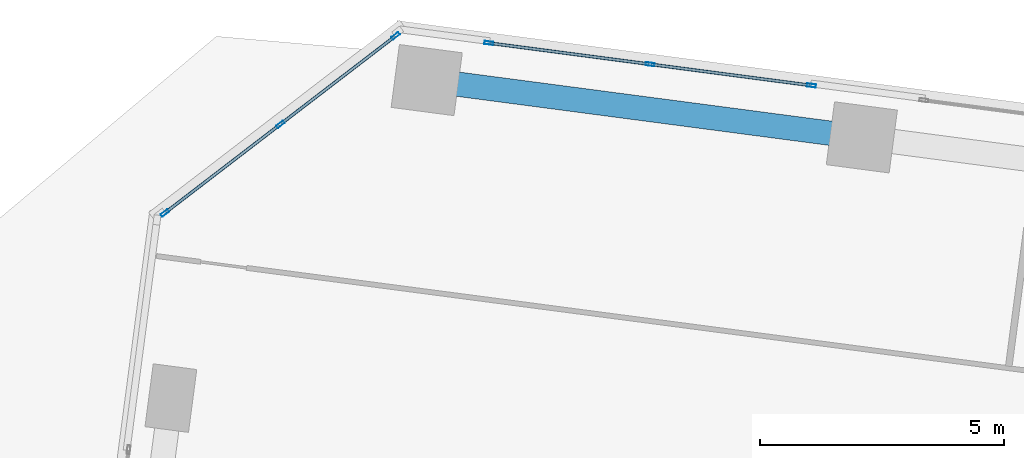
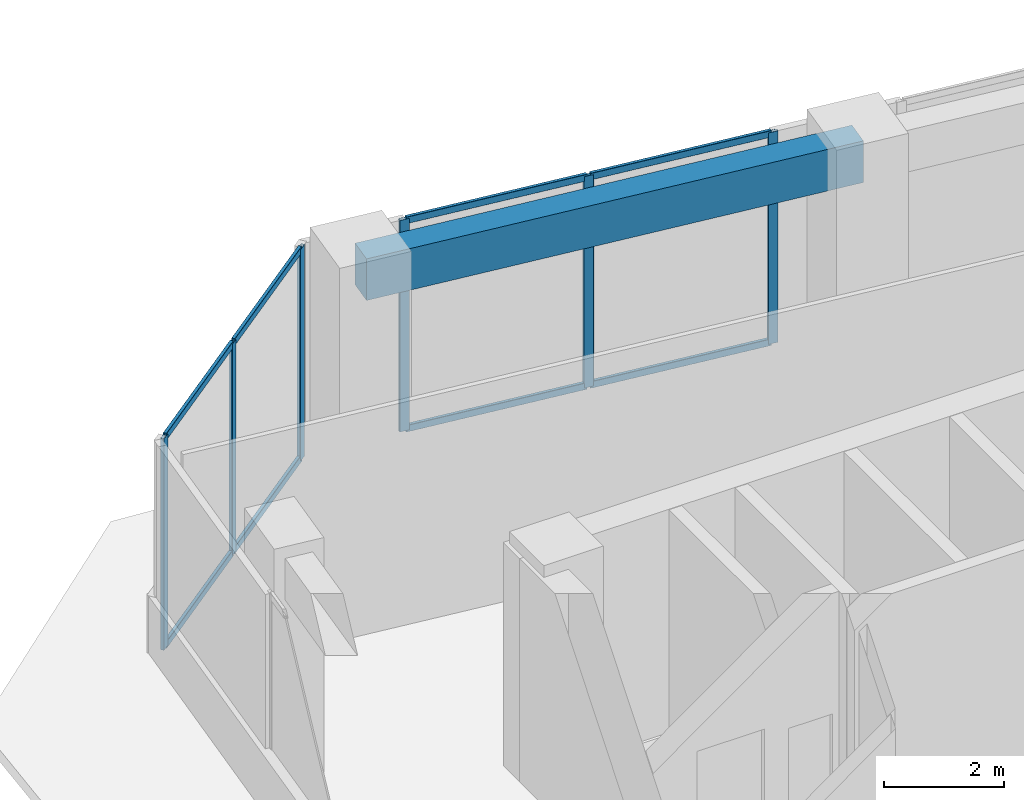
# One storey, part 15 of 24: 14 members, 1 beam, 2 elements without a shape of their own.
"""IFC4 building model written with IfcOpenShell, lengths in metres."""

from ifc_helpers import new_model, si_unit, direction, frame, origin, origin_2d, place, context, subcontext, project, spatial, rectangle, hollow_rectangle, extrude, source, transform, mapped, material, material_profile, profile_set, type_object, element, aggregate, save


model = new_model("IFC4")

# Units and contexts
model_context = context("Model", 3, precision=1e-05, world=origin(), true_north=direction((0.0, 1.0)))
body_context = subcontext(model_context, "Body", "Model", "MODEL_VIEW")
ifc_project = project(units=[si_unit("LENGTHUNIT", "METRE"), si_unit("AREAUNIT", "SQUARE_METRE"), si_unit("VOLUMEUNIT", "CUBIC_METRE"), si_unit("PLANEANGLEUNIT", "RADIAN"), si_unit("MASSUNIT", "GRAM", prefix="KILO")], contexts=[model_context])

# Site, building, storey
site_placement = place(None, origin())
site = spatial("IfcSite", under=ifc_project, at=site_placement, CompositionType="ELEMENT")
building_placement = place(site_placement, origin())
building = spatial("IfcBuilding", under=site, at=building_placement, Name="Torre Montelarca", CompositionType="ELEMENT")
storey_placement = place(building_placement, frame((0.0, 0.0, 61.60009765625)))
storey = spatial("IfcBuildingStorey", under=building, at=storey_placement, Name="L13", CompositionType="ELEMENT", Elevation=61.60009765625)

# Beam
ifc_material_1 = material(Name="Concrete C55/67", Category="concrete")
ifc_material_profile_1 = material_profile(ifc_material_1, rectangle(XDim=0.5, YDim=0.85009765625, at=origin_2d()), Name="RCB500X850", Category="concrete")
ifc_profile_set_1 = profile_set([ifc_material_profile_1], Name="Concrete C55/67")
beam_type = type_object("IfcBeamType", Name="BM-SP-RC850-EXT", PredefinedType="SPANDREL", material=ifc_profile_set_1)
shared_shape_1 = source(origin(), body_context, "Body", "SweptSolid", [
    extrude(rectangle(XDim=0.5, YDim=0.85009765625, at=origin_2d()), origin(), (0.0, 0.0, 1.0), 8.999755859375),
])
beam_placement = place(storey_placement, frame((11.08447265625, 48.652099609375, 4.135009765625), z_axis=(0.99144358168, -0.130535912089, 0.0), x_axis=(0.130535912089, 0.99144358168, 0.0)))
element("IfcBeam", 1, at=beam_placement, inside=storey, type_object=beam_type, Name="L13 Grid Girder X 9.0-18.0 at Y=47.1", PredefinedType="SPANDREL", context=body_context, shape_type="MappedRepresentation", body=[
    mapped(shared_shape_1, transform((0.0, 0.0, 0.0), scale=1.0)),
])

# Curtain wall, members
ifc_material_2 = material(Name="Insulated low-E laminated glass", Category="glass")
curtain_wall_type = type_object("IfcCurtainWallType", Name="CW-SYS-Z1", PredefinedType="USERDEFINED", material=ifc_material_2)
curtain_wall_1_placement = place(storey_placement, origin())
curtain_wall_1 = element("IfcCurtainWall", 2, at=curtain_wall_1_placement, inside=storey, type_object=curtain_wall_type, Name="L13 Curtain Wall Run CW-T3-L13-E08-B4", ObjectType="UNITISED GLAZING", PredefinedType="USERDEFINED")
ifc_material_3 = material(Name="Anodised aluminium AA 6063-T6", Category="aluminium")
ifc_material_profile_2 = material_profile(ifc_material_3, hollow_rectangle(XDim=0.06494140625, YDim=0.139892578125, WallThickness=0.00390625, InnerFilletRadius=0.00390625, OuterFilletRadius=0.008056640625, at=origin_2d()), Name="ALU65X140X4", Category="aluminium")
ifc_profile_set_2 = profile_set([ifc_material_profile_2], Name="Anodised aluminium AA 6063-T6")
member_type_1 = type_object("IfcMemberType", Name="CWT-ALU140", PredefinedType="USERDEFINED", material=ifc_profile_set_2)
shared_shape_2 = source(origin(), body_context, "Body", "SweptSolid", [
    extrude(hollow_rectangle(XDim=0.06494140625, YDim=0.139892578125, WallThickness=0.00390625, InnerFilletRadius=0.00390625, OuterFilletRadius=0.008056640625, at=origin_2d()), origin(), (0.0, 0.0, 1.0), 3.272705078125),
])
member_1_placement = place(storey_placement, frame((18.94287109375, 48.54541015625, 0.032470703125), z_axis=(-0.991451248248, 0.130477669916, 0.0), x_axis=(-0.130477669916, -0.991451248248, 0.0)))
member_1 = element("IfcMember", 3, at=member_1_placement, type_object=member_type_1, Name="CW transom 1.1", ObjectType="TRANSOM", PredefinedType="USERDEFINED", context=body_context, shape_type="MappedRepresentation", body=[
    mapped(shared_shape_2, transform((0.0, 0.0, 0.0), scale=1.0)),
])
member_2_placement = place(storey_placement, frame((18.94287109375, 48.54541015625, 4.287353515625), z_axis=(-0.991451248248, 0.130477669916, 0.0), x_axis=(-0.130477669916, -0.991451248248, 0.0)))
member_2 = element("IfcMember", 4, at=member_2_placement, type_object=member_type_1, Name="CW transom 1.2", ObjectType="TRANSOM", PredefinedType="USERDEFINED", context=body_context, shape_type="MappedRepresentation", body=[
    mapped(shared_shape_2, transform((0.0, 0.0, 0.0), scale=1.0)),
])
member_3_placement = place(storey_placement, frame((15.6337890625, 48.98095703125, 0.032470703125), z_axis=(-0.991441595039, 0.130551000099, 0.0), x_axis=(-0.130551000099, -0.991441595039, 0.0)))
member_3 = element("IfcMember", 5, at=member_3_placement, type_object=member_type_1, Name="CW transom 2.1", ObjectType="TRANSOM", PredefinedType="USERDEFINED", context=body_context, shape_type="MappedRepresentation", body=[
    mapped(shared_shape_2, transform((0.0, 0.0, 0.0), scale=1.0)),
])
member_4_placement = place(storey_placement, frame((15.6337890625, 48.98095703125, 4.287353515625), z_axis=(-0.991441595039, 0.130551000099, 0.0), x_axis=(-0.130551000099, -0.991441595039, 0.0)))
member_4 = element("IfcMember", 6, at=member_4_placement, type_object=member_type_1, Name="CW transom 2.2", ObjectType="TRANSOM", PredefinedType="USERDEFINED", context=body_context, shape_type="MappedRepresentation", body=[
    mapped(shared_shape_2, transform((0.0, 0.0, 0.0), scale=1.0)),
])

curtain_wall_2_placement = place(storey_placement, origin())
curtain_wall_2 = element("IfcCurtainWall", 7, at=curtain_wall_2_placement, inside=storey, type_object=curtain_wall_type, Name="L13 Curtain Wall Run CW-T3-L13-E09-B1", ObjectType="UNITISED GLAZING", PredefinedType="USERDEFINED")
shared_shape_3 = source(origin(), body_context, "Body", "SweptSolid", [
    extrude(hollow_rectangle(XDim=0.06494140625, YDim=0.139892578125, WallThickness=0.00390625, InnerFilletRadius=0.00390625, OuterFilletRadius=0.008056640625, at=origin_2d()), origin(), (0.0, 0.0, 1.0), 2.9189453125),
])
member_5_placement = place(storey_placement, frame((10.423583984375, 49.540771484375, 0.032470703125), z_axis=(-0.793357237782, -0.608756349666, 0.0), x_axis=(0.608756349666, -0.793357237782, 0.0)))
member_5 = element("IfcMember", 8, at=member_5_placement, type_object=member_type_1, Name="CW transom 1.1", ObjectType="TRANSOM", PredefinedType="USERDEFINED", context=body_context, shape_type="MappedRepresentation", body=[
    mapped(shared_shape_3, transform((0.0, 0.0, 0.0), scale=1.0)),
])
member_6_placement = place(storey_placement, frame((10.423583984375, 49.540771484375, 4.287353515625), z_axis=(-0.793357237782, -0.608756349666, 0.0), x_axis=(0.608756349666, -0.793357237782, 0.0)))
member_6 = element("IfcMember", 9, at=member_6_placement, type_object=member_type_1, Name="CW transom 1.2", ObjectType="TRANSOM", PredefinedType="USERDEFINED", context=body_context, shape_type="MappedRepresentation", body=[
    mapped(shared_shape_3, transform((0.0, 0.0, 0.0), scale=1.0)),
])
shared_shape_4 = source(origin(), body_context, "Body", "SweptSolid", [
    extrude(hollow_rectangle(XDim=0.06494140625, YDim=0.139892578125, WallThickness=0.00390625, InnerFilletRadius=0.00390625, OuterFilletRadius=0.008056640625, at=origin_2d()), origin(), (0.0, 0.0, 1.0), 2.918701171875),
])
member_7_placement = place(storey_placement, frame((8.056396484375, 47.724365234375, 0.032470703125), z_axis=(-0.793326237783, -0.608796748058, 0.0), x_axis=(0.608796748058, -0.793326237783, 0.0)))
member_7 = element("IfcMember", 10, at=member_7_placement, type_object=member_type_1, Name="CW transom 2.1", ObjectType="TRANSOM", PredefinedType="USERDEFINED", context=body_context, shape_type="MappedRepresentation", body=[
    mapped(shared_shape_4, transform((0.0, 0.0, 0.0), scale=1.0)),
])
member_8_placement = place(storey_placement, frame((8.056396484375, 47.724365234375, 4.287353515625), z_axis=(-0.793326237783, -0.608796748058, 0.0), x_axis=(0.608796748058, -0.793326237783, 0.0)))
member_8 = element("IfcMember", 11, at=member_8_placement, type_object=member_type_1, Name="CW transom 2.2", ObjectType="TRANSOM", PredefinedType="USERDEFINED", context=body_context, shape_type="MappedRepresentation", body=[
    mapped(shared_shape_4, transform((0.0, 0.0, 0.0), scale=1.0)),
])

# Member
ifc_material_profile_3 = material_profile(ifc_material_3, hollow_rectangle(XDim=0.06494140625, YDim=0.179931640625, WallThickness=0.00390625, InnerFilletRadius=0.00390625, OuterFilletRadius=0.008056640625, at=origin_2d()), Name="ALU65X180X4", Category="aluminium")
ifc_profile_set_3 = profile_set([ifc_material_profile_3], Name="Anodised aluminium AA 6063-T6")
member_type_2 = type_object("IfcMemberType", Name="CWM-ALU180", PredefinedType="MULLION", material=ifc_profile_set_3)
shared_shape_5 = source(origin(), body_context, "Body", "SweptSolid", [
    extrude(hollow_rectangle(XDim=0.06494140625, YDim=0.179931640625, WallThickness=0.00390625, InnerFilletRadius=0.00390625, OuterFilletRadius=0.008056640625, at=origin_2d()), origin(), (0.0, 0.0, 1.0), 4.31982421875),
])
member_9_placement = place(storey_placement, frame((18.97509765625, 48.541259765625, 0.0), z_axis=(0.0, 0.0, 1.0), x_axis=(-0.130518222125, -0.991445910624, 0.0)))
member_9 = element("IfcMember", 12, at=member_9_placement, type_object=member_type_2, Name="CW mullion 1", PredefinedType="MULLION", context=body_context, shape_type="MappedRepresentation", body=[
    mapped(shared_shape_5, transform((0.0, 0.0, 0.0), scale=1.0)),
])

member_10_placement = place(storey_placement, frame((15.666015625, 48.976806640625, 0.0), z_axis=(0.0, 0.0, 1.0), x_axis=(-0.130518222125, -0.991445910624, 0.0)))
member_10 = element("IfcMember", 13, at=member_10_placement, type_object=member_type_2, Name="CW mullion 2", PredefinedType="MULLION", context=body_context, shape_type="MappedRepresentation", body=[
    mapped(shared_shape_5, transform((0.0, 0.0, 0.0), scale=1.0)),
])

member_11_placement = place(storey_placement, frame((12.35693359375, 49.412353515625, 0.0), z_axis=(0.0, 0.0, 1.0), x_axis=(-0.130518222125, -0.991445910624, 0.0)))
member_11 = element("IfcMember", 14, at=member_11_placement, type_object=member_type_2, Name="CW mullion 3", PredefinedType="MULLION", context=body_context, shape_type="MappedRepresentation", body=[
    mapped(shared_shape_5, transform((0.0, 0.0, 0.0), scale=1.0)),
])

aggregate(curtain_wall_1, [member_9, member_10, member_11, member_1, member_2, member_3, member_4])

member_12_placement = place(storey_placement, frame((10.44921875, 49.560546875, 0.0), z_axis=(0.0, 0.0, 1.0), x_axis=(0.608764194066, -0.793351218581, 0.0)))
member_12 = element("IfcMember", 15, at=member_12_placement, type_object=member_type_2, Name="CW mullion 1", PredefinedType="MULLION", context=body_context, shape_type="MappedRepresentation", body=[
    mapped(shared_shape_5, transform((0.0, 0.0, 0.0), scale=1.0)),
])

member_13_placement = place(storey_placement, frame((8.082275390625, 47.744140625, 0.0), z_axis=(0.0, 0.0, 1.0), x_axis=(0.608764194066, -0.793351218581, 0.0)))
member_13 = element("IfcMember", 16, at=member_13_placement, type_object=member_type_2, Name="CW mullion 2", PredefinedType="MULLION", context=body_context, shape_type="MappedRepresentation", body=[
    mapped(shared_shape_5, transform((0.0, 0.0, 0.0), scale=1.0)),
])

member_14_placement = place(storey_placement, frame((5.715087890625, 45.927734375, 0.0), z_axis=(0.0, 0.0, 1.0), x_axis=(0.608764194066, -0.793351218581, 0.0)))
member_14 = element("IfcMember", 17, at=member_14_placement, type_object=member_type_2, Name="CW mullion 3", PredefinedType="MULLION", context=body_context, shape_type="MappedRepresentation", body=[
    mapped(shared_shape_5, transform((0.0, 0.0, 0.0), scale=1.0)),
])

aggregate(curtain_wall_2, [member_12, member_13, member_14, member_5, member_6, member_7, member_8])

save(model, "model.ifc")
